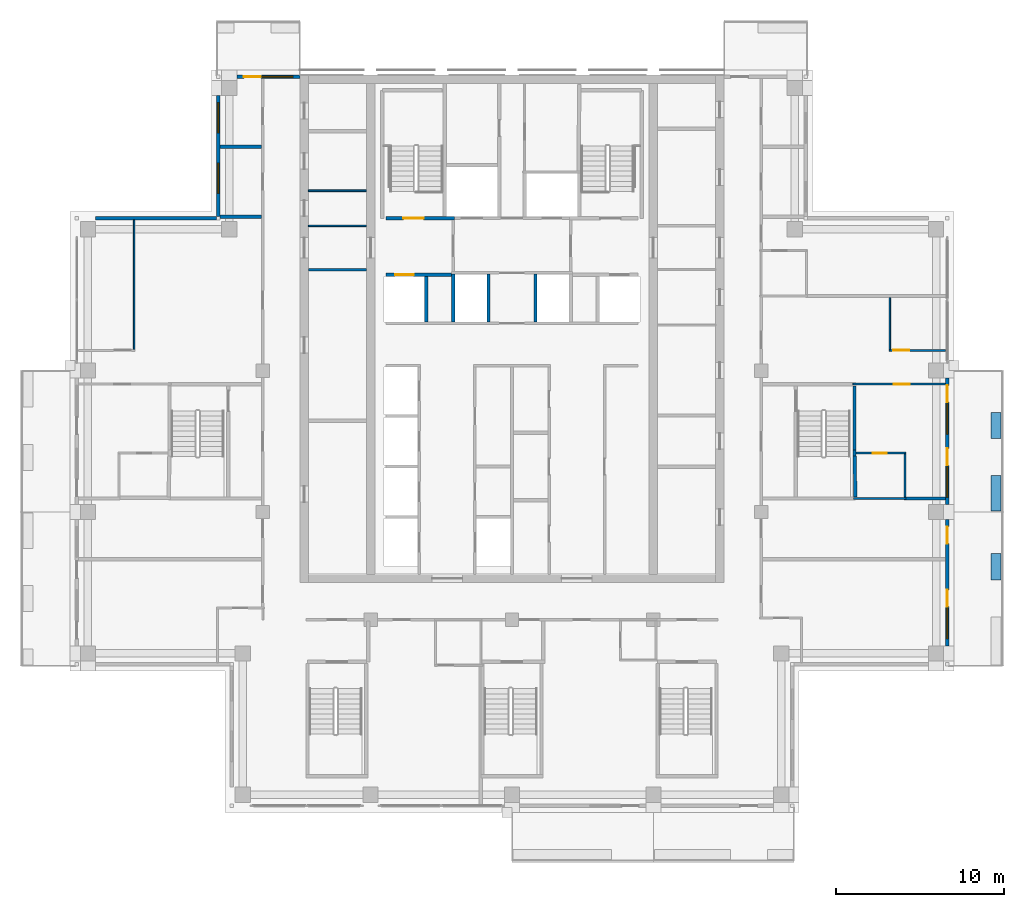
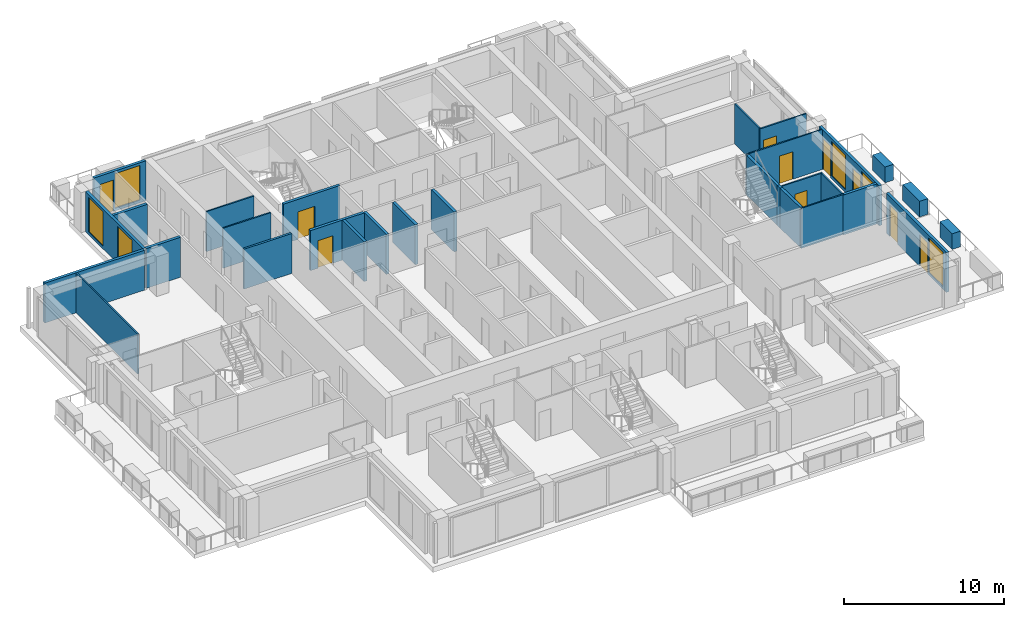
# One storey, part 12 of 17: 30 walls, 10 doors, 6 windows, 16 openings.
"""IFC4 building model written with IfcOpenShell, lengths in metres."""

from ifc_helpers import new_model, si_unit, direction, frame, frame_2d, origin, place, context, subcontext, project, spatial, rectangle, extrude, material, layer, layer_set, type_object, element, fill, save


model = new_model("IFC4")

# Units and contexts
model_context = context("Model", 3, precision=1e-05, world=origin(), true_north=direction((0.0, 1.0)))
body_context = subcontext(model_context, "Body", "Model", "MODEL_VIEW")
ifc_project = project(units=[si_unit("LENGTHUNIT", "METRE"), si_unit("AREAUNIT", "SQUARE_METRE"), si_unit("VOLUMEUNIT", "CUBIC_METRE"), si_unit("PLANEANGLEUNIT", "RADIAN"), si_unit("MASSUNIT", "GRAM", prefix="KILO")], contexts=[model_context])

# Site, building, storey
site_placement = place(None, origin())
site = spatial("IfcSite", under=ifc_project, at=site_placement, CompositionType="ELEMENT")
building_placement = place(site_placement, origin())
building = spatial("IfcBuilding", under=site, at=building_placement, Name="Vermilion Ogive Tower", CompositionType="ELEMENT")
storey_placement = place(building_placement, frame((0.0, 0.0, 244.14990234375)))
storey = spatial("IfcBuildingStorey", under=building, at=storey_placement, Name="L64", CompositionType="ELEMENT", Elevation=244.14990234375)

# Wall
ifc_material_1 = material(Name="Gypsum board partition on steel studs", Category="steel")
ifc_layer_1 = layer(ifc_material_1, 0.10009765625)
ifc_layer_set_1 = layer_set([ifc_layer_1], Name="Partition 100 bath")
wall_type_1 = type_object("IfcWallType", Name="Partition 100 bath", PredefinedType="PARTITIONING", material=ifc_layer_set_1)
wall_1_placement = place(storey_placement, frame((20.300048828125, -3.39990234375, 0.0), z_axis=(0.0, 0.0, 1.0), x_axis=(1.0, 0.0, 0.0)))
element("IfcWall", 1, at=wall_1_placement, inside=storey, type_object=wall_type_1, Name="L64-W-W020", PredefinedType="PARTITIONING", context=body_context, shape_type="SweptSolid", body=[
    extrude(rectangle(XDim=3.099853515625, YDim=0.10009765625, at=frame_2d((1.5498046875, 0.0))), origin(), (0.0, 0.0, 1.0), 3.050048828125),
])

# Wall, opening, door
wall_2_placement = place(storey_placement, frame((20.449951171875, -0.699951171875, 0.0), z_axis=(0.0, 0.0, 1.0), x_axis=(1.0, 0.0, 0.0)))
wall_2 = element("IfcWall", 2, at=wall_2_placement, inside=storey, type_object=wall_type_1, Name="L64-W-W023", PredefinedType="PARTITIONING", context=body_context, shape_type="SweptSolid", body=[
    extrude(rectangle(XDim=2.949951171875, YDim=0.10009765625, at=frame_2d((1.47509765625, 0.0))), origin(), (0.0, 0.0, 1.0), 3.050048828125),
])
opening_1_placement = place(wall_2_placement, frame((0.97509765625, 0.0, 0.0)))
opening_1 = element("IfcOpeningElement", 3, at=opening_1_placement, cuts=wall_2, Name="Opening D5G3018", PredefinedType="OPENING", context=body_context, shape_type="SweptSolid", body=[
    extrude(rectangle(XDim=0.85009765625, YDim=2.10009765625, at=frame_2d((0.425048828125, 1.050048828125))), frame((0.0, 0.06005859375, 0.0), z_axis=(0.0, -1.0, 0.0), x_axis=(1.0, 0.0, 0.0)), (0.0, 0.0, 1.0), 0.1201171875),
])
ifc_material_2 = material(Name="Timber door leaf", Category="wood")
door_type_1 = type_object("IfcDoorType", Name="Bath door 850 x 2100 FD30", OperationType="SINGLE_SWING_LEFT", PredefinedType="DOOR", material=ifc_material_2)
door_1_placement = place(opening_1_placement, origin())
door_1 = element("IfcDoor", 4, at=door_1_placement, inside=storey, type_object=door_type_1, Name="L64-D-D018", OperationType="SINGLE_SWING_RIGHT", OverallHeight=2.10009765625, OverallWidth=0.85009765625, PredefinedType="DOOR", context=body_context, shape_type="SweptSolid", body=[
    extrude(rectangle(XDim=0.85009765625, YDim=2.10009765625, at=frame_2d((0.425048828125, 1.050048828125))), frame((0.0, 0.02490234375, 0.0), z_axis=(0.0, -1.0, 0.0), x_axis=(1.0, 0.0, 0.0)), (0.0, 0.0, 1.0), 0.050048828125),
])
fill(opening_1, door_1)

# Walls
wall_3_placement = place(storey_placement, frame((23.35009765625, -3.300048828125, 0.0), z_axis=(0.0, 0.0, 1.0), x_axis=(0.0, 1.0, 0.0)))
element("IfcWall", 5, at=wall_3_placement, inside=storey, type_object=wall_type_1, Name="L64-W-W063", PredefinedType="PARTITIONING", context=body_context, shape_type="SweptSolid", body=[
    extrude(rectangle(XDim=2.550048828125, YDim=0.10009765625, at=frame_2d((1.27490234375, 0.0))), origin(), (0.0, 0.0, 1.0), 3.050048828125),
])
for number, where, z_axis, x_axis, name in (
    (6, (-12.09912109375, 12.800048828125, 0.0), (0.0, 0.0, 1.0), (1.0, 0.0, 0.0), "L64-CKW-W-W003"),
    (7, (-12.09912109375, 14.89111328125, 0.0), (0.0, 0.0, 1.0), (1.0, 0.0, 0.0), "L64-CKW-W-W004"),
):
    element("IfcWall", number, at=place(storey_placement, frame(where, z_axis=z_axis, x_axis=x_axis)), inside=storey, type_object=wall_type_1, Name=name, PredefinedType="PARTITIONING", context=body_context, shape_type="SweptSolid", body=[
        extrude(rectangle(XDim=3.4482421875, YDim=0.10009765625, at=frame_2d((1.72412109375, 0.0))), origin(), (0.0, 0.0, 1.0), 3.050048828125),
    ])

# Wall, opening, door
ifc_material_3 = material(Name="Gypsum board partition on steel studs", Category="steel")
ifc_layer_2 = layer(ifc_material_3, 0.10009765625)
ifc_layer_set_2 = layer_set([ifc_layer_2], Name="Partition 100 inner")
wall_type_2 = type_object("IfcWallType", Name="Partition 100 inner", PredefinedType="PARTITIONING", material=ifc_layer_set_2)
wall_4_placement = place(storey_placement, frame((20.25, 3.39990234375, 0.0), z_axis=(0.0, 0.0, 1.0), x_axis=(1.0, 0.0, 0.0)))
wall_4 = element("IfcWall", 8, at=wall_4_placement, inside=storey, type_object=wall_type_2, Name="L64-W-W027", PredefinedType="PARTITIONING", context=body_context, shape_type="SweptSolid", body=[
    extrude(rectangle(XDim=5.5, YDim=0.10009765625, at=frame_2d((2.75, 0.0))), origin(), (0.0, 0.0, 1.0), 3.050048828125),
])
opening_2_placement = place(wall_4_placement, frame((2.425048828125, 0.0, 0.0)))
opening_2 = element("IfcOpeningElement", 9, at=opening_2_placement, cuts=wall_4, Name="Opening D5G3017", PredefinedType="OPENING", context=body_context, shape_type="SweptSolid", body=[
    extrude(rectangle(XDim=0.949951171875, YDim=2.10009765625, at=frame_2d((0.47509765625, 1.050048828125))), frame((0.0, 0.06005859375, 0.0), z_axis=(0.0, -1.0, 0.0), x_axis=(1.0, 0.0, 0.0)), (0.0, 0.0, 1.0), 0.1201171875),
])
ifc_material_4 = material(Name="Timber door leaf", Category="wood")
door_type_2 = type_object("IfcDoorType", Name="Inner door 950 x 2100 FD30", OperationType="SINGLE_SWING_LEFT", PredefinedType="DOOR", material=ifc_material_4)
door_2_placement = place(opening_2_placement, origin())
door_2 = element("IfcDoor", 10, at=door_2_placement, inside=storey, type_object=door_type_2, Name="L64-D-D017", OperationType="SINGLE_SWING_LEFT", OverallHeight=2.10009765625, OverallWidth=0.949951171875, PredefinedType="DOOR", context=body_context, shape_type="SweptSolid", body=[
    extrude(rectangle(XDim=0.949951171875, YDim=2.10009765625, at=frame_2d((0.47509765625, 1.050048828125))), frame((0.0, 0.02490234375, 0.0), z_axis=(0.0, -1.0, 0.0), x_axis=(1.0, 0.0, 0.0)), (0.0, 0.0, 1.0), 0.050048828125),
])
fill(opening_2, door_2)

wall_5_placement = place(storey_placement, frame((22.39990234375, 5.39990234375, 0.0), z_axis=(0.0, 0.0, 1.0), x_axis=(1.0, 0.0, 0.0)))
wall_5 = element("IfcWall", 11, at=wall_5_placement, inside=storey, type_object=wall_type_2, Name="L64-W-W029", PredefinedType="PARTITIONING", context=body_context, shape_type="SweptSolid", body=[
    extrude(rectangle(XDim=3.35009765625, YDim=0.10009765625, at=frame_2d((1.675048828125, 0.0))), origin(), (0.0, 0.0, 1.0), 3.050048828125),
])
opening_3_placement = place(wall_5_placement, frame((0.25, 0.0, 0.0)))
opening_3 = element("IfcOpeningElement", 12, at=opening_3_placement, cuts=wall_5, Name="Opening D5G3015", PredefinedType="OPENING", context=body_context, shape_type="SweptSolid", body=[
    extrude(rectangle(XDim=0.949951171875, YDim=2.10009765625, at=frame_2d((0.47509765625, 1.050048828125))), frame((0.0, 0.06005859375, 0.0), z_axis=(0.0, -1.0, 0.0), x_axis=(1.0, 0.0, 0.0)), (0.0, 0.0, 1.0), 0.1201171875),
])
door_3_placement = place(opening_3_placement, origin())
door_3 = element("IfcDoor", 13, at=door_3_placement, inside=storey, type_object=door_type_2, Name="L64-D-D015", OperationType="SINGLE_SWING_LEFT", OverallHeight=2.10009765625, OverallWidth=0.949951171875, PredefinedType="DOOR", context=body_context, shape_type="SweptSolid", body=[
    extrude(rectangle(XDim=0.949951171875, YDim=2.10009765625, at=frame_2d((0.47509765625, 1.050048828125))), frame((0.0, 0.02490234375, 0.0), z_axis=(0.0, -1.0, 0.0), x_axis=(1.0, 0.0, 0.0)), (0.0, 0.0, 1.0), 0.050048828125),
])
fill(opening_3, door_3)

# Walls
wall_6_placement = place(storey_placement, frame((-22.449951171875, 5.449951171875, 0.0), z_axis=(0.0, 0.0, 1.0), x_axis=(0.0, 1.0, 0.0)))
element("IfcWall", 14, at=wall_6_placement, inside=storey, type_object=wall_type_2, Name="L64-W-W038", PredefinedType="PARTITIONING", context=body_context, shape_type="SweptSolid", body=[
    extrude(rectangle(XDim=7.699951171875, YDim=0.10009765625, at=frame_2d((3.85009765625, 0.0))), origin(), (0.0, 0.0, 1.0), 3.050048828125),
])
wall_7_placement = place(storey_placement, frame((22.449951171875, 5.449951171875, 0.0), z_axis=(0.0, 0.0, 1.0), x_axis=(0.0, 1.0, 0.0)))
element("IfcWall", 15, at=wall_7_placement, inside=storey, type_object=wall_type_2, Name="L64-W-W062", PredefinedType="PARTITIONING", context=body_context, shape_type="SweptSolid", body=[
    extrude(rectangle(XDim=3.080078125, YDim=0.10009765625, at=frame_2d((1.5400390625, 0.0))), origin(), (0.0, 0.0, 1.0), 3.050048828125),
])
ifc_material_5 = material(Name="Gypsum board partition on steel studs", Category="steel")
ifc_layer_3 = layer(ifc_material_5, 0.14990234375)
ifc_layer_set_3 = layer_set([ifc_layer_3], Name="Partition 150 corridor")
wall_type_3 = type_object("IfcWallType", Name="Partition 150 corridor", PredefinedType="PARTITIONING", material=ifc_layer_set_3)
wall_8_placement = place(storey_placement, frame((-12.09912109375, 10.199951171875, 0.0), z_axis=(0.0, 0.0, 1.0), x_axis=(1.0, 0.0, 0.0)))
element("IfcWall", 16, at=wall_8_placement, inside=storey, type_object=wall_type_3, Name="L64-CKW-W-W002", PredefinedType="PARTITIONING", context=body_context, shape_type="SweptSolid", body=[
    extrude(rectangle(XDim=3.4482421875, YDim=0.14990234375, at=frame_2d((1.72412109375, 0.0))), origin(), (0.0, 0.0, 1.0), 3.050048828125),
])
ifc_material_6 = material(Name="Gypsum board partition on steel studs", Category="steel")
ifc_layer_4 = layer(ifc_material_6, 0.199951171875)
ifc_layer_set_4 = layer_set([ifc_layer_4], Name="Partition 200 party")
wall_type_4 = type_object("IfcWallType", Name="Partition 200 party", PredefinedType="PARTITIONING", material=ifc_layer_set_4)
wall_9_placement = place(storey_placement, frame((23.300048828125, -3.39990234375, 0.0), z_axis=(0.0, 0.0, 1.0), x_axis=(1.0, 0.0, 0.0)))
element("IfcWall", 17, at=wall_9_placement, inside=storey, type_object=wall_type_4, Name="L64-W-W021", PredefinedType="PARTITIONING", context=body_context, shape_type="SweptSolid", body=[
    extrude(rectangle(XDim=2.449951171875, YDim=0.199951171875, at=frame_2d((1.22509765625, 0.0))), origin(), (0.0, 0.0, 1.0), 3.050048828125),
])
for number, where, z_axis, x_axis, name in (
    (18, (-17.35009765625, 13.35009765625, 0.0), (0.0, 0.0, 1.0), (1.0, 0.0, 0.0), "L64-W-W033"),
    (19, (-17.35009765625, 17.5, 0.0), (0.0, 0.0, 1.0), (1.0, 0.0, 0.0), "L64-W-W035"),
):
    element("IfcWall", number, at=place(storey_placement, frame(where, z_axis=z_axis, x_axis=x_axis)), inside=storey, type_object=wall_type_4, Name=name, PredefinedType="PARTITIONING", context=body_context, shape_type="SweptSolid", body=[
        extrude(rectangle(XDim=2.47509765625, YDim=0.199951171875, at=frame_2d((1.237548828125, 0.0))), origin(), (0.0, 0.0, 1.0), 3.050048828125),
    ])

# Wall, opening, door
wall_10_placement = place(storey_placement, frame((-7.5, 9.89990234375, 0.0), z_axis=(0.0, 0.0, 1.0), x_axis=(1.0, 0.0, 0.0)))
wall_10 = element("IfcWall", 20, at=wall_10_placement, inside=storey, type_object=wall_type_4, Name="L64-CK-W-W012", PredefinedType="PARTITIONING", context=body_context, shape_type="SweptSolid", body=[
    extrude(rectangle(XDim=3.89990234375, YDim=0.199951171875, at=frame_2d((1.949951171875, 0.0))), origin(), (0.0, 0.0, 1.0), 3.050048828125),
])
opening_4_placement = place(wall_10_placement, frame((0.550048828125, 0.0, 0.0)))
opening_4 = element("IfcOpeningElement", 21, at=opening_4_placement, cuts=wall_10, Name="Opening DAA605", PredefinedType="OPENING", context=body_context, shape_type="SweptSolid", body=[
    extrude(rectangle(XDim=1.10009765625, YDim=2.10009765625, at=frame_2d((0.550048828125, 1.050048828125))), frame((0.0, 0.10986328125, 0.0), z_axis=(0.0, -1.0, 0.0), x_axis=(1.0, 0.0, 0.0)), (0.0, 0.0, 1.0), 0.219970703125),
])
ifc_material_7 = material(Name="Stainless steel", Category="steel")
door_type_3 = type_object("IfcDoorType", Name="Lift landing door 1100 x 2100", OperationType="SLIDING_TO_LEFT", PredefinedType="DOOR", material=ifc_material_7)
door_4_placement = place(opening_4_placement, origin())
door_4 = element("IfcDoor", 22, at=door_4_placement, inside=storey, type_object=door_type_3, Name="L64-CK-D-D013", OperationType="SLIDING_TO_RIGHT", OverallHeight=2.10009765625, OverallWidth=1.10009765625, PredefinedType="DOOR", context=body_context, shape_type="SweptSolid", body=[
    extrude(rectangle(XDim=1.10009765625, YDim=2.10009765625, at=frame_2d((0.550048828125, 1.050048828125))), frame((0.0, 0.02490234375, 0.0), z_axis=(0.0, -1.0, 0.0), x_axis=(1.0, 0.0, 0.0)), (0.0, 0.0, 1.0), 0.050048828125),
])
fill(opening_4, door_4)

# Walls
wall_11_placement = place(storey_placement, frame((-5.10009765625, 7.074951171875, 0.0), z_axis=(0.0, 0.0, 1.0), x_axis=(0.0, 1.0, 0.0)))
element("IfcWall", 23, at=wall_11_placement, inside=storey, type_object=wall_type_4, Name="L64-CK-W-W021", PredefinedType="PARTITIONING", context=body_context, shape_type="SweptSolid", body=[
    extrude(rectangle(XDim=2.72509765625, YDim=0.199951171875, at=frame_2d((1.362548828125, 0.0))), origin(), (0.0, 0.0, 1.0), 3.050048828125),
])
for number, where, z_axis, x_axis, name in (
    (24, (-3.5, 7.074951171875, 0.0), (0.0, 0.0, 1.0), (0.0, 1.0, 0.0), "L64-CK-W-W023"),
    (25, (-1.39990234375, 7.074951171875, 0.0), (0.0, 0.0, 1.0), (0.0, 1.0, 0.0), "L64-CK-W-W026"),
    (26, (1.39990234375, 7.074951171875, 0.0), (0.0, 0.0, 1.0), (0.0, 1.0, 0.0), "L64-CK-W-W031"),
):
    element("IfcWall", number, at=place(storey_placement, frame(where, z_axis=z_axis, x_axis=x_axis)), inside=storey, type_object=wall_type_4, Name=name, PredefinedType="PARTITIONING", context=body_context, shape_type="SweptSolid", body=[
        extrude(rectangle(XDim=2.85009765625, YDim=0.199951171875, at=frame_2d((1.425048828125, 0.0))), origin(), (0.0, 0.0, 1.0), 3.050048828125),
    ])
ifc_material_8 = material(Name="Concrete B60", Category="concrete")
ifc_layer_5 = layer(ifc_material_8, 0.199951171875)
ifc_layer_set_5 = layer_set([ifc_layer_5], Name="Stair shaft wall 200 Concrete B60")
wall_type_5 = type_object("IfcWallType", Name="Stair shaft wall 200 Concrete B60", PredefinedType="SOLIDWALL", material=ifc_layer_set_5)
wall_12_placement = place(storey_placement, frame((20.400146484375, -3.300048828125, 0.0), z_axis=(0.0, 0.0, 1.0), x_axis=(-0.019287077816, 0.999813987014, 0.0)))
element("IfcWall", 27, at=wall_12_placement, inside=storey, type_object=wall_type_5, Name="L64-W-W060", PredefinedType="SOLIDWALL", context=body_context, shape_type="SweptSolid", body=[
    extrude(rectangle(XDim=2.430419921875, YDim=0.199951171875, at=frame_2d((1.21533203125, 0.0))), origin(), (0.0, 0.0, 1.0), 3.050048828125),
])
wall_13_placement = place(storey_placement, frame((20.35009765625, -0.52978515625, 0.0), z_axis=(0.0, 0.0, 1.0), x_axis=(0.0, 1.0, 0.0)))
element("IfcWall", 28, at=wall_13_placement, inside=storey, type_object=wall_type_5, Name="L64-W-W061", PredefinedType="SOLIDWALL", context=body_context, shape_type="SweptSolid", body=[
    extrude(rectangle(XDim=3.829833984375, YDim=0.199951171875, at=frame_2d((1.9150390625, 0.0))), origin(), (0.0, 0.0, 1.0), 3.050048828125),
])

# Wall, opening, door
wall_14_placement = place(storey_placement, frame((-7.5, 13.25, 0.0), z_axis=(0.0, 0.0, 1.0), x_axis=(1.0, 0.0, 0.0)))
wall_14 = element("IfcWall", 29, at=wall_14_placement, inside=storey, type_object=wall_type_5, Name="L64-CK-W-W015", PredefinedType="SOLIDWALL", context=body_context, shape_type="SweptSolid", body=[
    extrude(rectangle(XDim=4.074951171875, YDim=0.199951171875, at=frame_2d((2.03759765625, 0.0))), origin(), (0.0, 0.0, 1.0), 3.050048828125),
])
opening_5_placement = place(wall_14_placement, frame((1.050048828125, 0.0, 0.0)))
opening_5 = element("IfcOpeningElement", 30, at=opening_5_placement, cuts=wall_14, Name="Opening DAA598", PredefinedType="OPENING", context=body_context, shape_type="SweptSolid", body=[
    extrude(rectangle(XDim=1.199951171875, YDim=2.10009765625, at=frame_2d((0.60009765625, 1.050048828125))), frame((0.0, 0.10986328125, 0.0), z_axis=(0.0, -1.0, 0.0), x_axis=(1.0, 0.0, 0.0)), (0.0, 0.0, 1.0), 0.219970703125),
])
ifc_material_9 = material(Name="Timber door leaf", Category="wood")
door_type_4 = type_object("IfcDoorType", Name="Stair door 1200 x 2100 FD60S", OperationType="SINGLE_SWING_LEFT", PredefinedType="DOOR", material=ifc_material_9)
door_5_placement = place(opening_5_placement, origin())
door_5 = element("IfcDoor", 31, at=door_5_placement, inside=storey, type_object=door_type_4, Name="L64-CK-D-D012", OperationType="SINGLE_SWING_LEFT", OverallHeight=2.10009765625, OverallWidth=1.199951171875, PredefinedType="DOOR", context=body_context, shape_type="SweptSolid", body=[
    extrude(rectangle(XDim=1.199951171875, YDim=2.10009765625, at=frame_2d((0.60009765625, 1.050048828125))), frame((0.0, 0.02490234375, 0.0), z_axis=(0.0, -1.0, 0.0), x_axis=(1.0, 0.0, 0.0)), (0.0, 0.0, 1.0), 0.050048828125),
])
fill(opening_5, door_5)

# Walls
wall_15_placement = place(storey_placement, frame((20.35009765625, -0.8701171875, 0.0), z_axis=(0.0, 0.0, 1.0), x_axis=(0.0, 1.0, 0.0)))
element("IfcWall", 32, at=wall_15_placement, inside=storey, type_object=wall_type_5, Name="L64-SW-ST8-E1", PredefinedType="SOLIDWALL", context=body_context, shape_type="SweptSolid", body=[
    extrude(rectangle(XDim=0.34033203125, YDim=0.199951171875, at=frame_2d((0.170166015625, 0.0))), origin(), (0.0, 0.0, 1.0), 3.050048828125),
])
ifc_material_10 = material(Name="Concrete B40", Category="concrete")
ifc_layer_6 = layer(ifc_material_10, 0.60009765625)
ifc_layer_set_6 = layer_set([ifc_layer_6], Name="Structural planter")
wall_type_6 = type_object("IfcWallType", Name="Structural planter", PredefinedType="USERDEFINED", material=ifc_layer_set_6)
wall_16_placement = place(storey_placement, frame((28.75, -8.22509765625, -0.039794921875), z_axis=(0.0, 0.0, 1.0), x_axis=(0.0, 1.0, 0.0)))
element("IfcWall", 33, at=wall_16_placement, inside=storey, type_object=wall_type_6, Name="Planter E01A2", ObjectType="PLANTER", PredefinedType="USERDEFINED", context=body_context, shape_type="SweptSolid", body=[
    extrude(rectangle(XDim=1.550048828125, YDim=0.60009765625, at=frame_2d((0.77490234375, 0.0))), origin(), (0.0, 0.0, 1.0), 1.199951171875),
])
wall_17_placement = place(storey_placement, frame((28.75, -4.139892578125, -0.039794921875), z_axis=(0.0, 0.0, 1.0), x_axis=(0.0, 1.0, 0.0)))
element("IfcWall", 34, at=wall_17_placement, inside=storey, type_object=wall_type_6, Name="Planter E02A1", ObjectType="PLANTER", PredefinedType="USERDEFINED", context=body_context, shape_type="SweptSolid", body=[
    extrude(rectangle(XDim=2.114990234375, YDim=0.60009765625, at=frame_2d((1.0576171875, 0.0))), origin(), (0.0, 0.0, 1.0), 1.199951171875),
])
wall_18_placement = place(storey_placement, frame((28.75, 0.175048828125, -0.039794921875), z_axis=(0.0, 0.0, 1.0), x_axis=(0.0, 1.0, 0.0)))
element("IfcWall", 35, at=wall_18_placement, inside=storey, type_object=wall_type_6, Name="Planter E02A2", ObjectType="PLANTER", PredefinedType="USERDEFINED", context=body_context, shape_type="SweptSolid", body=[
    extrude(rectangle(XDim=1.550048828125, YDim=0.60009765625, at=frame_2d((0.77490234375, 0.0))), origin(), (0.0, 0.0, 1.0), 1.199951171875),
])

# Wall, openings, doors, window
ifc_material_11 = material(Name="Aluminium window wall framing", Category="aluminium")
ifc_layer_7 = layer(ifc_material_11, 0.199951171875)
ifc_layer_set_7 = layer_set([ifc_layer_7], Name="Window wall")
wall_type_7 = type_object("IfcWallType", Name="Window wall", PredefinedType="STANDARD", material=ifc_layer_set_7)
wall_19_placement = place(storey_placement, frame((25.85009765625, -12.14990234375, 0.0), z_axis=(0.0, 0.0, 1.0), x_axis=(0.0, 1.0, 0.0)))
wall_19 = element("IfcWall", 36, at=wall_19_placement, inside=storey, type_object=wall_type_7, Name="Window wall E1", PredefinedType="STANDARD", context=body_context, shape_type="SweptSolid", body=[
    extrude(rectangle(XDim=7.5, YDim=0.199951171875, at=frame_2d((3.75, 0.0))), origin(), (0.0, 0.0, 1.0), 3.050048828125),
])
opening_6_placement = place(wall_19_placement, frame((0.425048828125, 0.0, 0.199951171875)))
opening_6 = element("IfcOpeningElement", 37, at=opening_6_placement, cuts=wall_19, Name="Opening W1-E97", PredefinedType="OPENING", context=body_context, shape_type="SweptSolid", body=[
    extrude(rectangle(XDim=1.800048828125, YDim=2.64990234375, at=frame_2d((0.89990234375, 1.324951171875))), frame((0.0, 0.10986328125, 0.0), z_axis=(0.0, -1.0, 0.0), x_axis=(1.0, 0.0, 0.0)), (0.0, 0.0, 1.0), 0.219970703125),
])
opening_7_placement = place(wall_19_placement, frame((2.324951171875, 0.0, 0.0)))
opening_7 = element("IfcOpeningElement", 38, at=opening_7_placement, cuts=wall_19, Name="Opening D1-E97", PredefinedType="OPENING", context=body_context, shape_type="SweptSolid", body=[
    extrude(rectangle(XDim=1.0, YDim=2.39990234375, at=frame_2d((0.5, 1.199951171875))), frame((0.0, 0.10986328125, 0.0), z_axis=(0.0, -1.0, 0.0), x_axis=(1.0, 0.0, 0.0)), (0.0, 0.0, 1.0), 0.219970703125),
])
opening_8_placement = place(wall_19_placement, frame((6.074951171875, 0.0, 0.0)))
opening_8 = element("IfcOpeningElement", 39, at=opening_8_placement, cuts=wall_19, Name="Opening D1-E98", PredefinedType="OPENING", context=body_context, shape_type="SweptSolid", body=[
    extrude(rectangle(XDim=1.0, YDim=2.39990234375, at=frame_2d((0.5, 1.199951171875))), frame((0.0, 0.10986328125, 0.0), z_axis=(0.0, -1.0, 0.0), x_axis=(1.0, 0.0, 0.0)), (0.0, 0.0, 1.0), 0.219970703125),
])
ifc_material_12 = material(Name="Aluminium framed glazed door", Category="aluminium")
door_type_5 = type_object("IfcDoorType", Name="Balcony door D1", OperationType="SINGLE_SWING_LEFT", PredefinedType="DOOR", material=ifc_material_12)
door_6_placement = place(opening_7_placement, origin())
door_6 = element("IfcDoor", 40, at=door_6_placement, inside=storey, type_object=door_type_5, Name="Balcony door E97", OperationType="SINGLE_SWING_LEFT", OverallHeight=2.39990234375, OverallWidth=1.0, PredefinedType="DOOR", context=body_context, shape_type="SweptSolid", body=[
    extrude(rectangle(XDim=1.0, YDim=2.39990234375, at=frame_2d((0.5, 1.199951171875))), frame((0.0, 0.02490234375, 0.0), z_axis=(0.0, -1.0, 0.0), x_axis=(1.0, 0.0, 0.0)), (0.0, 0.0, 1.0), 0.050048828125),
])
fill(opening_7, door_6)
door_7_placement = place(opening_8_placement, origin())
door_7 = element("IfcDoor", 41, at=door_7_placement, inside=storey, type_object=door_type_5, Name="Balcony door E98", OperationType="SINGLE_SWING_LEFT", OverallHeight=2.39990234375, OverallWidth=1.0, PredefinedType="DOOR", context=body_context, shape_type="SweptSolid", body=[
    extrude(rectangle(XDim=1.0, YDim=2.39990234375, at=frame_2d((0.5, 1.199951171875))), frame((0.0, 0.02490234375, 0.0), z_axis=(0.0, -1.0, 0.0), x_axis=(1.0, 0.0, 0.0)), (0.0, 0.0, 1.0), 0.050048828125),
])
fill(opening_8, door_7)
ifc_material_13 = material(Name="Aluminium framed double glazing", Category="aluminium")
window_type = type_object("IfcWindowType", Name="Guest window W1", PartitioningType="SINGLE_PANEL", PredefinedType="WINDOW", material=ifc_material_13)
window_1_placement = place(opening_6_placement, origin())
window_1 = element("IfcWindow", 42, at=window_1_placement, inside=storey, type_object=window_type, Name="Window E97", OverallHeight=2.64990234375, OverallWidth=1.800048828125, PartitioningType="SINGLE_PANEL", PredefinedType="WINDOW", context=body_context, shape_type="SweptSolid", body=[
    extrude(rectangle(XDim=1.800048828125, YDim=2.64990234375, at=frame_2d((0.89990234375, 1.324951171875))), frame((0.0, 0.030029296875, 0.0), z_axis=(0.0, -1.0, 0.0), x_axis=(1.0, 0.0, 0.0)), (0.0, 0.0, 1.0), 0.06005859375),
])
fill(opening_6, window_1)

# Wall, openings, doors, windows
wall_20_placement = place(storey_placement, frame((25.85009765625, -3.75, 0.0), z_axis=(0.0, 0.0, 1.0), x_axis=(0.0, 1.0, 0.0)))
wall_20 = element("IfcWall", 43, at=wall_20_placement, inside=storey, type_object=wall_type_7, Name="Window wall E2", PredefinedType="STANDARD", context=body_context, shape_type="SweptSolid", body=[
    extrude(rectangle(XDim=7.5, YDim=0.199951171875, at=frame_2d((3.75, 0.0))), origin(), (0.0, 0.0, 1.0), 3.050048828125),
])
opening_9_placement = place(wall_20_placement, frame((0.425048828125, 0.0, 0.199951171875)))
opening_9 = element("IfcOpeningElement", 44, at=opening_9_placement, cuts=wall_20, Name="Opening W1-E99", PredefinedType="OPENING", context=body_context, shape_type="SweptSolid", body=[
    extrude(rectangle(XDim=1.800048828125, YDim=2.64990234375, at=frame_2d((0.89990234375, 1.324951171875))), frame((0.0, 0.10986328125, 0.0), z_axis=(0.0, -1.0, 0.0), x_axis=(1.0, 0.0, 0.0)), (0.0, 0.0, 1.0), 0.219970703125),
])
opening_10_placement = place(wall_20_placement, frame((2.324951171875, 0.0, 0.0)))
opening_10 = element("IfcOpeningElement", 45, at=opening_10_placement, cuts=wall_20, Name="Opening D1-E99", PredefinedType="OPENING", context=body_context, shape_type="SweptSolid", body=[
    extrude(rectangle(XDim=1.0, YDim=2.39990234375, at=frame_2d((0.5, 1.199951171875))), frame((0.0, 0.10986328125, 0.0), z_axis=(0.0, -1.0, 0.0), x_axis=(1.0, 0.0, 0.0)), (0.0, 0.0, 1.0), 0.219970703125),
])
opening_11_placement = place(wall_20_placement, frame((4.175048828125, 0.0, 0.199951171875)))
opening_11 = element("IfcOpeningElement", 46, at=opening_11_placement, cuts=wall_20, Name="Opening W1-E00", PredefinedType="OPENING", context=body_context, shape_type="SweptSolid", body=[
    extrude(rectangle(XDim=1.800048828125, YDim=2.64990234375, at=frame_2d((0.89990234375, 1.324951171875))), frame((0.0, 0.10986328125, 0.0), z_axis=(0.0, -1.0, 0.0), x_axis=(1.0, 0.0, 0.0)), (0.0, 0.0, 1.0), 0.219970703125),
])
opening_12_placement = place(wall_20_placement, frame((6.074951171875, 0.0, 0.0)))
opening_12 = element("IfcOpeningElement", 47, at=opening_12_placement, cuts=wall_20, Name="Opening D1-E00", PredefinedType="OPENING", context=body_context, shape_type="SweptSolid", body=[
    extrude(rectangle(XDim=1.0, YDim=2.39990234375, at=frame_2d((0.5, 1.199951171875))), frame((0.0, 0.10986328125, 0.0), z_axis=(0.0, -1.0, 0.0), x_axis=(1.0, 0.0, 0.0)), (0.0, 0.0, 1.0), 0.219970703125),
])
door_8_placement = place(opening_10_placement, origin())
door_8 = element("IfcDoor", 48, at=door_8_placement, inside=storey, type_object=door_type_5, Name="Balcony door E99", OperationType="SINGLE_SWING_LEFT", OverallHeight=2.39990234375, OverallWidth=1.0, PredefinedType="DOOR", context=body_context, shape_type="SweptSolid", body=[
    extrude(rectangle(XDim=1.0, YDim=2.39990234375, at=frame_2d((0.5, 1.199951171875))), frame((0.0, 0.02490234375, 0.0), z_axis=(0.0, -1.0, 0.0), x_axis=(1.0, 0.0, 0.0)), (0.0, 0.0, 1.0), 0.050048828125),
])
fill(opening_10, door_8)
door_9_placement = place(opening_12_placement, origin())
door_9 = element("IfcDoor", 49, at=door_9_placement, inside=storey, type_object=door_type_5, Name="Balcony door E00", OperationType="SINGLE_SWING_LEFT", OverallHeight=2.39990234375, OverallWidth=1.0, PredefinedType="DOOR", context=body_context, shape_type="SweptSolid", body=[
    extrude(rectangle(XDim=1.0, YDim=2.39990234375, at=frame_2d((0.5, 1.199951171875))), frame((0.0, 0.02490234375, 0.0), z_axis=(0.0, -1.0, 0.0), x_axis=(1.0, 0.0, 0.0)), (0.0, 0.0, 1.0), 0.050048828125),
])
fill(opening_12, door_9)
window_2_placement = place(opening_9_placement, origin())
window_2 = element("IfcWindow", 50, at=window_2_placement, inside=storey, type_object=window_type, Name="Window E99", OverallHeight=2.64990234375, OverallWidth=1.800048828125, PartitioningType="SINGLE_PANEL", PredefinedType="WINDOW", context=body_context, shape_type="SweptSolid", body=[
    extrude(rectangle(XDim=1.800048828125, YDim=2.64990234375, at=frame_2d((0.89990234375, 1.324951171875))), frame((0.0, 0.030029296875, 0.0), z_axis=(0.0, -1.0, 0.0), x_axis=(1.0, 0.0, 0.0)), (0.0, 0.0, 1.0), 0.06005859375),
])
fill(opening_9, window_2)
window_3_placement = place(opening_11_placement, origin())
window_3 = element("IfcWindow", 51, at=window_3_placement, inside=storey, type_object=window_type, Name="Window E00", OverallHeight=2.64990234375, OverallWidth=1.800048828125, PartitioningType="SINGLE_PANEL", PredefinedType="WINDOW", context=body_context, shape_type="SweptSolid", body=[
    extrude(rectangle(XDim=1.800048828125, YDim=2.64990234375, at=frame_2d((0.89990234375, 1.324951171875))), frame((0.0, 0.030029296875, 0.0), z_axis=(0.0, -1.0, 0.0), x_axis=(1.0, 0.0, 0.0)), (0.0, 0.0, 1.0), 0.06005859375),
])
fill(opening_11, window_3)

# Wall, openings, door, window
wall_21_placement = place(storey_placement, frame((-12.60009765625, 21.64990234375, 0.0), z_axis=(0.0, 0.0, 1.0), x_axis=(-1.0, 0.0, 0.0)))
wall_21 = element("IfcWall", 52, at=wall_21_placement, inside=storey, type_object=wall_type_7, Name="Window wall N21", PredefinedType="STANDARD", context=body_context, shape_type="SweptSolid", body=[
    extrude(rectangle(XDim=3.75, YDim=0.199951171875, at=frame_2d((1.875, 0.0))), origin(), (0.0, 0.0, 1.0), 3.050048828125),
])
opening_13_placement = place(wall_21_placement, frame((0.425048828125, 0.0, 0.199951171875)))
opening_13 = element("IfcOpeningElement", 53, at=opening_13_placement, cuts=wall_21, Name="Opening W1-N296", PredefinedType="OPENING", context=body_context, shape_type="SweptSolid", body=[
    extrude(rectangle(XDim=1.800048828125, YDim=2.64990234375, at=frame_2d((0.89990234375, 1.324951171875))), frame((0.0, 0.10986328125, 0.0), z_axis=(0.0, -1.0, 0.0), x_axis=(1.0, 0.0, 0.0)), (0.0, 0.0, 1.0), 0.219970703125),
])
opening_14_placement = place(wall_21_placement, frame((2.324951171875, 0.0, 0.0)))
opening_14 = element("IfcOpeningElement", 54, at=opening_14_placement, cuts=wall_21, Name="Opening D1-N296", PredefinedType="OPENING", context=body_context, shape_type="SweptSolid", body=[
    extrude(rectangle(XDim=1.0, YDim=2.39990234375, at=frame_2d((0.5, 1.199951171875))), frame((0.0, 0.10986328125, 0.0), z_axis=(0.0, -1.0, 0.0), x_axis=(1.0, 0.0, 0.0)), (0.0, 0.0, 1.0), 0.219970703125),
])
door_10_placement = place(opening_14_placement, origin())
door_10 = element("IfcDoor", 55, at=door_10_placement, inside=storey, type_object=door_type_5, Name="Balcony door N296", OperationType="SINGLE_SWING_LEFT", OverallHeight=2.39990234375, OverallWidth=1.0, PredefinedType="DOOR", context=body_context, shape_type="SweptSolid", body=[
    extrude(rectangle(XDim=1.0, YDim=2.39990234375, at=frame_2d((0.5, 1.199951171875))), frame((0.0, 0.02490234375, 0.0), z_axis=(0.0, -1.0, 0.0), x_axis=(1.0, 0.0, 0.0)), (0.0, 0.0, 1.0), 0.050048828125),
])
fill(opening_14, door_10)
window_4_placement = place(opening_13_placement, origin())
window_4 = element("IfcWindow", 56, at=window_4_placement, inside=storey, type_object=window_type, Name="Window N296", OverallHeight=2.64990234375, OverallWidth=1.800048828125, PartitioningType="SINGLE_PANEL", PredefinedType="WINDOW", context=body_context, shape_type="SweptSolid", body=[
    extrude(rectangle(XDim=1.800048828125, YDim=2.64990234375, at=frame_2d((0.89990234375, 1.324951171875))), frame((0.0, 0.030029296875, 0.0), z_axis=(0.0, -1.0, 0.0), x_axis=(1.0, 0.0, 0.0)), (0.0, 0.0, 1.0), 0.06005859375),
])
fill(opening_13, window_4)

# Wall, openings, windows
wall_22_placement = place(storey_placement, frame((-17.449951171875, 20.550048828125, 0.0), z_axis=(0.0, 0.0, 1.0), x_axis=(0.0, -1.0, 0.0)))
wall_22 = element("IfcWall", 57, at=wall_22_placement, inside=storey, type_object=wall_type_7, Name="Window wall X51", PredefinedType="STANDARD", context=body_context, shape_type="SweptSolid", body=[
    extrude(rectangle(XDim=7.199951171875, YDim=0.199951171875, at=frame_2d((3.60009765625, 0.0))), origin(), (0.0, 0.0, 1.0), 3.050048828125),
])
opening_15_placement = place(wall_22_placement, frame((4.02490234375, 0.0, 0.199951171875)))
opening_15 = element("IfcOpeningElement", 58, at=opening_15_placement, cuts=wall_22, Name="Opening W1-X503", PredefinedType="OPENING", context=body_context, shape_type="SweptSolid", body=[
    extrude(rectangle(XDim=1.800048828125, YDim=2.64990234375, at=frame_2d((0.89990234375, 1.324951171875))), frame((0.0, 0.10986328125, 0.0), z_axis=(0.0, -1.0, 0.0), x_axis=(1.0, 0.0, 0.0)), (0.0, 0.0, 1.0), 0.219970703125),
])
opening_16_placement = place(wall_22_placement, frame((0.425048828125, 0.0, 0.199951171875)))
opening_16 = element("IfcOpeningElement", 59, at=opening_16_placement, cuts=wall_22, Name="Opening W1-X504", PredefinedType="OPENING", context=body_context, shape_type="SweptSolid", body=[
    extrude(rectangle(XDim=1.800048828125, YDim=2.64990234375, at=frame_2d((0.89990234375, 1.324951171875))), frame((0.0, 0.10986328125, 0.0), z_axis=(0.0, -1.0, 0.0), x_axis=(1.0, 0.0, 0.0)), (0.0, 0.0, 1.0), 0.219970703125),
])
window_5_placement = place(opening_15_placement, origin())
window_5 = element("IfcWindow", 60, at=window_5_placement, inside=storey, type_object=window_type, Name="Window X503", OverallHeight=2.64990234375, OverallWidth=1.800048828125, PartitioningType="SINGLE_PANEL", PredefinedType="WINDOW", context=body_context, shape_type="SweptSolid", body=[
    extrude(rectangle(XDim=1.800048828125, YDim=2.64990234375, at=frame_2d((0.89990234375, 1.324951171875))), frame((0.0, 0.030029296875, 0.0), z_axis=(0.0, -1.0, 0.0), x_axis=(1.0, 0.0, 0.0)), (0.0, 0.0, 1.0), 0.06005859375),
])
fill(opening_15, window_5)
window_6_placement = place(opening_16_placement, origin())
window_6 = element("IfcWindow", 61, at=window_6_placement, inside=storey, type_object=window_type, Name="Window X504", OverallHeight=2.64990234375, OverallWidth=1.800048828125, PartitioningType="SINGLE_PANEL", PredefinedType="WINDOW", context=body_context, shape_type="SweptSolid", body=[
    extrude(rectangle(XDim=1.800048828125, YDim=2.64990234375, at=frame_2d((0.89990234375, 1.324951171875))), frame((0.0, 0.030029296875, 0.0), z_axis=(0.0, -1.0, 0.0), x_axis=(1.0, 0.0, 0.0)), (0.0, 0.0, 1.0), 0.06005859375),
])
fill(opening_16, window_6)

# Wall
wall_23_placement = place(storey_placement, frame((-17.550048828125, 13.25, 0.0), z_axis=(0.0, 0.0, 1.0), x_axis=(-1.0, 0.0, 0.0)))
element("IfcWall", 62, at=wall_23_placement, inside=storey, type_object=wall_type_7, Name="Window wall X61", PredefinedType="STANDARD", context=body_context, shape_type="SweptSolid", body=[
    extrude(rectangle(XDim=7.199951171875, YDim=0.199951171875, at=frame_2d((3.60009765625, 0.0))), origin(), (0.0, 0.0, 1.0), 3.050048828125),
])

save(model, "model.ifc")
